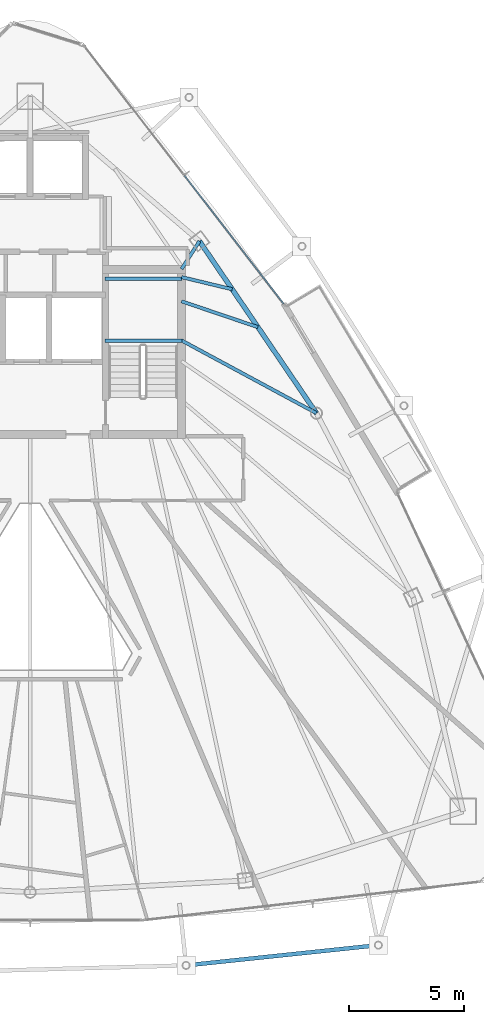
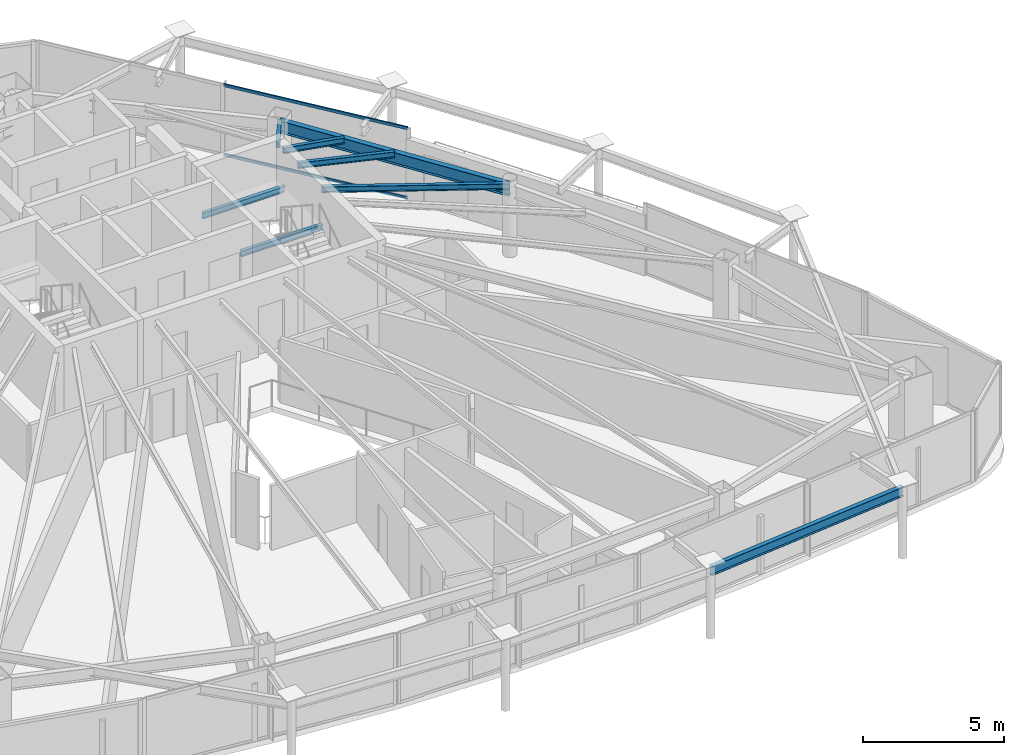
# One storey, part 13 of 28: 8 beams, 2 members, 1 element without a shape of its own.
"""IFC4 building model written with IfcOpenShell, lengths in metres."""

from ifc_helpers import new_model, si_unit, direction, frame, origin, origin_2d, place, context, subcontext, project, spatial, hollow_rectangle, i_section, extrude, material, layer, layer_set, material_profile, profile_set, type_object, element, aggregate, save


model = new_model("IFC4")

# Units and contexts
model_context = context("Model", 3, precision=1e-05, world=origin(), true_north=direction((0.0, 1.0)))
body_context = subcontext(model_context, "Body", "Model", "MODEL_VIEW")
ifc_project = project(units=[si_unit("LENGTHUNIT", "METRE"), si_unit("AREAUNIT", "SQUARE_METRE"), si_unit("VOLUMEUNIT", "CUBIC_METRE"), si_unit("PLANEANGLEUNIT", "RADIAN"), si_unit("MASSUNIT", "GRAM", prefix="KILO")], contexts=[model_context])

# Site, building, storey
site_placement = place(None, origin())
site = spatial("IfcSite", under=ifc_project, at=site_placement, CompositionType="ELEMENT")
building_placement = place(site_placement, origin())
building = spatial("IfcBuilding", under=site, at=building_placement, Name="Orvanel Arch Residences", CompositionType="ELEMENT")
storey_placement = place(building_placement, frame((0.0, 0.0, 266.75)))
storey = spatial("IfcBuildingStorey", under=building, at=storey_placement, Name="L76", CompositionType="ELEMENT", Elevation=266.75)

# Beams
ifc_material_1 = material(Name="Structural steel AS/NZS 3679.1 Grade 300 (300 MPa)", Category="steel")
ifc_material_profile_1 = material_profile(ifc_material_1, i_section(OverallWidth=0.14599609375, OverallDepth=0.251953125, WebThickness=0.006103515625, FlangeThickness=0.008544921875, at=origin_2d()), Name="250UB31.4")
ifc_profile_set_1 = profile_set([ifc_material_profile_1], Name="Structural steel AS/NZS 3679.1 Grade 300 (300 MPa)")
beam_type_1 = type_object("IfcBeamType", Name="BJ-250UB", PredefinedType="JOIST", material=ifc_profile_set_1)
for number, where, z_axis, x_axis, name in (
    (1, (36.25, 30.780029296875, 1.323974609375), (1.0, 0.0, 0.0), (0.0, 1.0, 0.0), "L76 ST-2 Half-Landing Support Beam 1.1"),
    (2, (36.25, 33.47998046875, 1.323974609375), (1.0, 0.0, 0.0), (0.0, 1.0, 0.0), "L76 ST-2 Half-Landing Support Beam 1.2"),
):
    element("IfcBeam", number, at=place(storey_placement, frame(where, z_axis=z_axis, x_axis=x_axis)), inside=storey, type_object=beam_type_1, Name=name, PredefinedType="JOIST", context=body_context, shape_type="SweptSolid", body=[
        extrude(i_section(OverallWidth=0.14599609375, OverallDepth=0.251953125, WebThickness=0.006103515625, FlangeThickness=0.008544921875, at=origin_2d()), origin(), (0.0, 0.0, 1.0), 3.35009765625),
    ])
beam_1_placement = place(storey_placement, frame((39.574951171875, 33.89990234375, 2.93408203125), z_axis=(0.539395075146, 0.842052820735, 0.0), x_axis=(-0.842052820735, 0.539395075146, 0.0)))
element("IfcBeam", 3, at=beam_1_placement, inside=storey, type_object=beam_type_1, Name="L76 NNE Wing Floor Joist", PredefinedType="JOIST", context=body_context, shape_type="SweptSolid", body=[
    extrude(i_section(OverallWidth=0.14599609375, OverallDepth=0.251953125, WebThickness=0.006103515625, FlangeThickness=0.008544921875, at=origin_2d()), origin(), (0.0, 0.0, 1.0), 1.440673828125),
])
beam_2_placement = place(storey_placement, frame((39.574951171875, 30.800048828125, 2.93408203125), z_axis=(0.880111494021, -0.474767056664, 0.0), x_axis=(0.474767056664, 0.880111494021, 0.0)))
element("IfcBeam", 4, at=beam_2_placement, inside=storey, type_object=beam_type_1, Name="L76 NE Wing Floor Joist", PredefinedType="JOIST", context=body_context, shape_type="SweptSolid", body=[
    extrude(i_section(OverallWidth=0.14599609375, OverallDepth=0.251953125, WebThickness=0.006103515625, FlangeThickness=0.008544921875, at=origin_2d()), origin(), (0.0, 0.0, 1.0), 6.653564453125),
])
beam_3_placement = place(storey_placement, frame((39.574951171875, 32.5, 2.93408203125), z_axis=(0.947159269453, -0.320763648641, 0.0), x_axis=(0.320763648641, 0.947159269453, 0.0)))
element("IfcBeam", 5, at=beam_3_placement, inside=storey, type_object=beam_type_1, Name="L76 ENE Wing Floor Joist", PredefinedType="JOIST", context=body_context, shape_type="SweptSolid", body=[
    extrude(i_section(OverallWidth=0.14599609375, OverallDepth=0.251953125, WebThickness=0.006103515625, FlangeThickness=0.008544921875, at=origin_2d()), origin(), (0.0, 0.0, 1.0), 3.501220703125),
])
beam_4_placement = place(storey_placement, frame((39.574951171875, 33.550048828125, 2.93408203125), z_axis=(0.972256833016, -0.23391590509, 0.0), x_axis=(0.23391590509, 0.972256833016, 0.0)))
element("IfcBeam", 6, at=beam_4_placement, inside=storey, type_object=beam_type_1, Name="L76 JADD4 Wing Floor Joist", PredefinedType="JOIST", context=body_context, shape_type="SweptSolid", body=[
    extrude(i_section(OverallWidth=0.14599609375, OverallDepth=0.251953125, WebThickness=0.006103515625, FlangeThickness=0.008544921875, at=origin_2d()), origin(), (0.0, 0.0, 1.0), 2.26171875),
])
ifc_material_profile_2 = material_profile(ifc_material_1, i_section(OverallWidth=0.177978515625, OverallDepth=0.406005859375, WebThickness=0.0078125, FlangeThickness=0.0126953125, at=origin_2d()), Name="410UB59.7")
ifc_profile_set_2 = profile_set([ifc_material_profile_2], Name="Structural steel AS/NZS 3679.1 Grade 300 (300 MPa)")
beam_type_2 = type_object("IfcBeamType", Name="OB-410UB-EXT", PredefinedType="SPANDREL", material=ifc_profile_set_2)
beam_5_placement = place(storey_placement, frame((39.77099609375, 3.6650390625, 2.85693359375), z_axis=(0.994506090216, 0.104678730039, 0.0), x_axis=(-0.104678730039, 0.994506090216, 0.0)))
element("IfcBeam", 7, at=beam_5_placement, inside=storey, type_object=beam_type_2, Name="L76 Outer Perimeter Floor Ring Beam 07", PredefinedType="SPANDREL", context=body_context, shape_type="SweptSolid", body=[
    extrude(i_section(OverallWidth=0.177978515625, OverallDepth=0.406005859375, WebThickness=0.0078125, FlangeThickness=0.0126953125, at=origin_2d()), origin(), (0.0, 0.0, 1.0), 8.396240234375),
])
ifc_material_profile_3 = material_profile(ifc_material_1, i_section(OverallWidth=0.208984375, OverallDepth=0.532958984375, WebThickness=0.01025390625, FlangeThickness=0.015625, at=origin_2d()), Name="530UB92.4")
ifc_profile_set_3 = profile_set([ifc_material_profile_3], Name="Structural steel AS/NZS 3679.1 Grade 300 (300 MPa)")
beam_type_3 = type_object("IfcBeamType", Name="SP-530UB", PredefinedType="SPANDREL", material=ifc_profile_set_3)
beam_6_placement = place(storey_placement, frame((45.430908203125, 27.64111328125, 2.79296875), z_axis=(-0.562154793153, 0.827032035978, 0.0), x_axis=(-0.827032035978, -0.562154793153, 0.0)))
element("IfcBeam", 8, at=beam_6_placement, inside=storey, type_object=beam_type_3, Name="L76 Perimeter Spandrel Beam 08", PredefinedType="SPANDREL", context=body_context, shape_type="SweptSolid", body=[
    extrude(i_section(OverallWidth=0.208984375, OverallDepth=0.532958984375, WebThickness=0.01025390625, FlangeThickness=0.015625, at=origin_2d()), origin(), (0.0, 0.0, 1.0), 9.03466796875),
])

# Curtain wall, members
ifc_material_2 = material(Name="Bronze-anodised aluminium AA6063-T6", Category="aluminium")
ifc_layer = layer(ifc_material_2, 0.175048828125)
ifc_layer_set = layer_set([ifc_layer], Name="Bronze-anodised aluminium AA6063-T6")
curtain_wall_type = type_object("IfcCurtainWallType", Name="CW4-HI-SYS", PredefinedType="NOTDEFINED", material=ifc_layer_set)
curtain_wall_placement = place(storey_placement, origin())
curtain_wall = element("IfcCurtainWall", 9, at=curtain_wall_placement, inside=storey, type_object=curtain_wall_type, Name="L76 CW4-HI-SYS Unitised Curtain Wall", PredefinedType="NOTDEFINED")
ifc_material_profile_4 = material_profile(ifc_material_2, hollow_rectangle(XDim=0.06005859375, YDim=0.1201171875, WallThickness=0.00341796875, at=origin_2d()), Name="ALU120x60x3.5")
ifc_profile_set_4 = profile_set([ifc_material_profile_4], Name="Bronze-anodised aluminium AA6063-T6")
member_type = type_object("IfcMemberType", Name="TRN-120x60", PredefinedType="USERDEFINED", material=ifc_profile_set_4)
member_1_placement = place(storey_placement, frame((44.01025390625, 32.388427734375, 0.030029296875), z_axis=(-0.611588835985, 0.791175767892, 0.0), x_axis=(-0.791175767892, -0.611588835985, 0.0)))
member_1 = element("IfcMember", 10, at=member_1_placement, type_object=member_type, Name="CW-S4 transom 1.1", ObjectType="TRANSOM", PredefinedType="USERDEFINED", context=body_context, shape_type="SweptSolid", body=[
    extrude(hollow_rectangle(XDim=0.06005859375, YDim=0.1201171875, WallThickness=0.00341796875, at=origin_2d()), origin(), (0.0, 0.0, 1.0), 7.02978515625),
])
member_2_placement = place(storey_placement, frame((44.01025390625, 32.388427734375, 3.030029296875), z_axis=(-0.611588835985, 0.791175767892, 0.0), x_axis=(-0.791175767892, -0.611588835985, 0.0)))
member_2 = element("IfcMember", 11, at=member_2_placement, type_object=member_type, Name="CW-S4 transom 1.2", ObjectType="TRANSOM", PredefinedType="USERDEFINED", context=body_context, shape_type="SweptSolid", body=[
    extrude(hollow_rectangle(XDim=0.06005859375, YDim=0.1201171875, WallThickness=0.00341796875, at=origin_2d()), origin(), (0.0, 0.0, 1.0), 7.02978515625),
])
aggregate(curtain_wall, [member_1, member_2])

save(model, "model.ifc")
